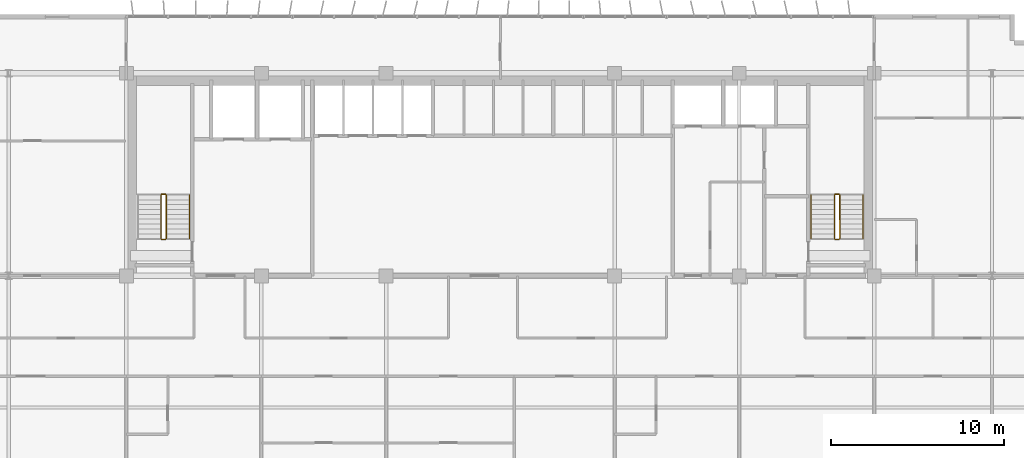
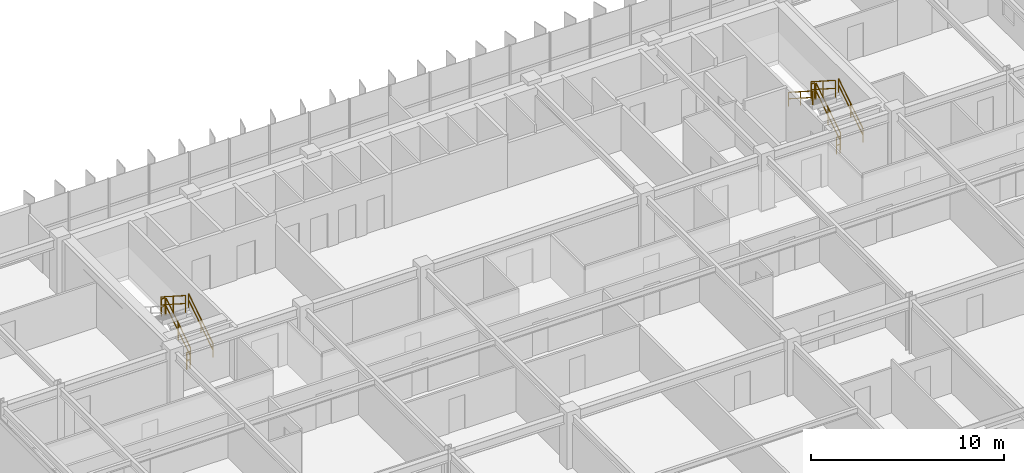
# One storey, part 21 of 22: 11 railings.
"""IFC4 building model written with IfcOpenShell, lengths in metres."""

from ifc_helpers import new_model, si_unit, direction, frame, origin, origin_2d, place, context, subcontext, project, spatial, rectangle, extrude, material, type_object, element, save


model = new_model("IFC4")

# Units and contexts
model_context = context("Model", 3, precision=1e-05, world=origin(), true_north=direction((0.0, 1.0)))
body_context = subcontext(model_context, "Body", "Model", "MODEL_VIEW")
ifc_project = project(units=[si_unit("LENGTHUNIT", "METRE"), si_unit("AREAUNIT", "SQUARE_METRE"), si_unit("VOLUMEUNIT", "CUBIC_METRE"), si_unit("PLANEANGLEUNIT", "RADIAN"), si_unit("MASSUNIT", "GRAM", prefix="KILO")], contexts=[model_context])

# Site, building, storey
site_placement = place(None, origin())
site = spatial("IfcSite", under=ifc_project, at=site_placement, CompositionType="ELEMENT")
building_placement = place(site_placement, origin())
building = spatial("IfcBuilding", under=site, at=building_placement, Name="Trelvane Seafront Commons", CompositionType="ELEMENT")
storey_placement = place(building_placement, frame((0.0, 0.0, 121.300048828125)))
storey = spatial("IfcBuildingStorey", under=building, at=storey_placement, Name="L31", CompositionType="ELEMENT", Elevation=121.300048828125)

# Railings
ifc_material = material(Name="Stainless steel balustrade", Category="steel")
railing_type_1 = type_object("IfcRailingType", Name="ARCH-SRL-GUARD", PredefinedType="GUARDRAIL", material=ifc_material)
railing_1_placement = place(storey_placement, frame((17.89990234375, 35.550048828125, 0.179931640625)))
element("IfcRailing", 1, at=railing_1_placement, inside=storey, type_object=railing_type_1, Name="L31 ST-1 stair guard 1", PredefinedType="GUARDRAIL", context=body_context, shape_type="SweptSolid", body=[
    extrude(rectangle(XDim=0.048095703125, YDim=0.048095703125, at=origin_2d()), frame((0.0, 0.0, 1.076171875), z_axis=(0.0, 0.841162588446, 0.540782303519), x_axis=(-1.0, 0.0, 0.0)), (0.0, 0.0, 1.0), 2.995849609375),
    extrude(rectangle(XDim=0.048095703125, YDim=0.048095703125, at=origin_2d()), frame((0.0, 0.0, 0.572021484375), z_axis=(0.0, 0.841162588446, 0.540782303519), x_axis=(-1.0, 0.0, 0.0)), (0.0, 0.0, 1.0), 2.995849609375),
    extrude(rectangle(XDim=0.0419921875, YDim=0.0419921875, at=origin_2d()), origin(), (0.0, 0.0, 1.0), 1.076171875),
    extrude(rectangle(XDim=0.0419921875, YDim=0.0419921875, at=origin_2d()), frame((0.0, 1.260009765625, 0.81005859375)), (0.0, 0.0, 1.0), 1.076171875),
    extrude(rectangle(XDim=0.0419921875, YDim=0.0419921875, at=origin_2d()), frame((0.0, 2.52001953125, 1.6201171875)), (0.0, 0.0, 1.0), 1.076171875),
])
railing_2_placement = place(storey_placement, frame((17.85009765625, 38.1201171875, 1.800048828125)))
element("IfcRailing", 2, at=railing_2_placement, inside=storey, type_object=railing_type_1, Name="L31 ST-1 stair guard 2", PredefinedType="GUARDRAIL", context=body_context, shape_type="SweptSolid", body=[
    extrude(rectangle(XDim=0.048095703125, YDim=0.048095703125, at=origin_2d()), frame((0.0, 0.0, 1.076171875), z_axis=(-1.0, 0.0, 0.0), x_axis=(0.0, -1.0, 0.0)), (0.0, 0.0, 1.0), 0.2001953125),
    extrude(rectangle(XDim=0.048095703125, YDim=0.048095703125, at=origin_2d()), frame((0.0, 0.0, 0.572021484375), z_axis=(-1.0, 0.0, 0.0), x_axis=(0.0, -1.0, 0.0)), (0.0, 0.0, 1.0), 0.2001953125),
    extrude(rectangle(XDim=0.0419921875, YDim=0.0419921875, at=origin_2d()), origin(), (0.0, 0.0, 1.0), 1.076171875),
    extrude(rectangle(XDim=0.0419921875, YDim=0.0419921875, at=origin_2d()), frame((-0.2001953125, 0.0, 0.0)), (0.0, 0.0, 1.0), 1.076171875),
])
railing_3_placement = place(storey_placement, frame((17.60009765625, 38.070068359375, 1.97998046875)))
element("IfcRailing", 3, at=railing_3_placement, inside=storey, type_object=railing_type_1, Name="L31 ST-1 stair guard 3", PredefinedType="GUARDRAIL", context=body_context, shape_type="SweptSolid", body=[
    extrude(rectangle(XDim=0.048095703125, YDim=0.048095703125, at=origin_2d()), frame((0.0, 0.0, 1.076171875), z_axis=(0.0, -0.841199657755, 0.540724639528), x_axis=(1.0, 0.0, 0.0)), (0.0, 0.0, 1.0), 2.995849609375),
    extrude(rectangle(XDim=0.048095703125, YDim=0.048095703125, at=origin_2d()), frame((0.0, 0.0, 0.572021484375), z_axis=(0.0, -0.841199657755, 0.540724639528), x_axis=(1.0, 0.0, 0.0)), (0.0, 0.0, 1.0), 2.995849609375),
    extrude(rectangle(XDim=0.0419921875, YDim=0.0419921875, at=origin_2d()), origin(), (0.0, 0.0, 1.0), 1.076171875),
    extrude(rectangle(XDim=0.0419921875, YDim=0.0419921875, at=origin_2d()), frame((0.0, -1.260009765625, 0.81005859375)), (0.0, 0.0, 1.0), 1.076171875),
    extrude(rectangle(XDim=0.0419921875, YDim=0.0419921875, at=origin_2d()), frame((0.0, -2.52001953125, 1.619873046875)), (0.0, 0.0, 1.0), 1.076171875),
])
railing_4_placement = place(storey_placement, frame((17.85009765625, 35.5, 0.0)))
element("IfcRailing", 4, at=railing_4_placement, inside=storey, type_object=railing_type_1, Name="L31 ST-1 stair guard 4", PredefinedType="GUARDRAIL", context=body_context, shape_type="SweptSolid", body=[
    extrude(rectangle(XDim=0.048095703125, YDim=0.048095703125, at=origin_2d()), frame((0.0, 0.0, 1.076171875), z_axis=(-1.0, 0.0, 0.0), x_axis=(0.0, -1.0, 0.0)), (0.0, 0.0, 1.0), 0.2001953125),
    extrude(rectangle(XDim=0.048095703125, YDim=0.048095703125, at=origin_2d()), frame((0.0, 0.0, 0.572021484375), z_axis=(-1.0, 0.0, 0.0), x_axis=(0.0, -1.0, 0.0)), (0.0, 0.0, 1.0), 0.2001953125),
    extrude(rectangle(XDim=0.0419921875, YDim=0.0419921875, at=origin_2d()), origin(), (0.0, 0.0, 1.0), 1.076171875),
    extrude(rectangle(XDim=0.0419921875, YDim=0.0419921875, at=origin_2d()), frame((-0.2001953125, 0.0, 0.0)), (0.0, 0.0, 1.0), 1.076171875),
])
railing_5_placement = place(storey_placement, frame((56.800048828125, 35.550048828125, 0.179931640625)))
element("IfcRailing", 5, at=railing_5_placement, inside=storey, type_object=railing_type_1, Name="L31 ST-2 stair guard 1", PredefinedType="GUARDRAIL", context=body_context, shape_type="SweptSolid", body=[
    extrude(rectangle(XDim=0.048095703125, YDim=0.048095703125, at=origin_2d()), frame((0.0, 0.0, 1.076171875), z_axis=(0.0, 0.841162588446, 0.540782303519), x_axis=(-1.0, 0.0, 0.0)), (0.0, 0.0, 1.0), 2.995849609375),
    extrude(rectangle(XDim=0.048095703125, YDim=0.048095703125, at=origin_2d()), frame((0.0, 0.0, 0.572021484375), z_axis=(0.0, 0.841162588446, 0.540782303519), x_axis=(-1.0, 0.0, 0.0)), (0.0, 0.0, 1.0), 2.995849609375),
    extrude(rectangle(XDim=0.0419921875, YDim=0.0419921875, at=origin_2d()), origin(), (0.0, 0.0, 1.0), 1.076171875),
    extrude(rectangle(XDim=0.0419921875, YDim=0.0419921875, at=origin_2d()), frame((0.0, 1.260009765625, 0.81005859375)), (0.0, 0.0, 1.0), 1.076171875),
    extrude(rectangle(XDim=0.0419921875, YDim=0.0419921875, at=origin_2d()), frame((0.0, 2.52001953125, 1.6201171875)), (0.0, 0.0, 1.0), 1.076171875),
])
railing_6_placement = place(storey_placement, frame((56.75, 38.1201171875, 1.800048828125)))
element("IfcRailing", 6, at=railing_6_placement, inside=storey, type_object=railing_type_1, Name="L31 ST-2 stair guard 2", PredefinedType="GUARDRAIL", context=body_context, shape_type="SweptSolid", body=[
    extrude(rectangle(XDim=0.048095703125, YDim=0.048095703125, at=origin_2d()), frame((0.0, 0.0, 1.076171875), z_axis=(-1.0, 0.0, 0.0), x_axis=(0.0, -1.0, 0.0)), (0.0, 0.0, 1.0), 0.199951171875),
    extrude(rectangle(XDim=0.048095703125, YDim=0.048095703125, at=origin_2d()), frame((0.0, 0.0, 0.572021484375), z_axis=(-1.0, 0.0, 0.0), x_axis=(0.0, -1.0, 0.0)), (0.0, 0.0, 1.0), 0.199951171875),
    extrude(rectangle(XDim=0.0419921875, YDim=0.0419921875, at=origin_2d()), origin(), (0.0, 0.0, 1.0), 1.076171875),
    extrude(rectangle(XDim=0.0419921875, YDim=0.0419921875, at=origin_2d()), frame((-0.199951171875, 0.0, 0.0)), (0.0, 0.0, 1.0), 1.076171875),
])
railing_7_placement = place(storey_placement, frame((56.5, 38.070068359375, 1.97998046875)))
element("IfcRailing", 7, at=railing_7_placement, inside=storey, type_object=railing_type_1, Name="L31 ST-2 stair guard 3", PredefinedType="GUARDRAIL", context=body_context, shape_type="SweptSolid", body=[
    extrude(rectangle(XDim=0.048095703125, YDim=0.048095703125, at=origin_2d()), frame((0.0, 0.0, 1.076171875), z_axis=(0.0, -0.841199657755, 0.540724639528), x_axis=(1.0, 0.0, 0.0)), (0.0, 0.0, 1.0), 2.995849609375),
    extrude(rectangle(XDim=0.048095703125, YDim=0.048095703125, at=origin_2d()), frame((0.0, 0.0, 0.572021484375), z_axis=(0.0, -0.841199657755, 0.540724639528), x_axis=(1.0, 0.0, 0.0)), (0.0, 0.0, 1.0), 2.995849609375),
    extrude(rectangle(XDim=0.0419921875, YDim=0.0419921875, at=origin_2d()), origin(), (0.0, 0.0, 1.0), 1.076171875),
    extrude(rectangle(XDim=0.0419921875, YDim=0.0419921875, at=origin_2d()), frame((0.0, -1.260009765625, 0.81005859375)), (0.0, 0.0, 1.0), 1.076171875),
    extrude(rectangle(XDim=0.0419921875, YDim=0.0419921875, at=origin_2d()), frame((0.0, -2.52001953125, 1.619873046875)), (0.0, 0.0, 1.0), 1.076171875),
])
railing_8_placement = place(storey_placement, frame((56.75, 35.5, 0.0)))
element("IfcRailing", 8, at=railing_8_placement, inside=storey, type_object=railing_type_1, Name="L31 ST-2 stair guard 4", PredefinedType="GUARDRAIL", context=body_context, shape_type="SweptSolid", body=[
    extrude(rectangle(XDim=0.048095703125, YDim=0.048095703125, at=origin_2d()), frame((0.0, 0.0, 1.076171875), z_axis=(-1.0, 0.0, 0.0), x_axis=(0.0, -1.0, 0.0)), (0.0, 0.0, 1.0), 0.199951171875),
    extrude(rectangle(XDim=0.048095703125, YDim=0.048095703125, at=origin_2d()), frame((0.0, 0.0, 0.572021484375), z_axis=(-1.0, 0.0, 0.0), x_axis=(0.0, -1.0, 0.0)), (0.0, 0.0, 1.0), 0.199951171875),
    extrude(rectangle(XDim=0.0419921875, YDim=0.0419921875, at=origin_2d()), origin(), (0.0, 0.0, 1.0), 1.076171875),
    extrude(rectangle(XDim=0.0419921875, YDim=0.0419921875, at=origin_2d()), frame((-0.199951171875, 0.0, 0.0)), (0.0, 0.0, 1.0), 1.076171875),
])
railing_type_2 = type_object("IfcRailingType", Name="ARCH-SRL-HAND", PredefinedType="HANDRAIL", material=ifc_material)
for number, where, name in (
    (9, (19.25, 35.550048828125, 0.179931640625), "L31 ST-1 stair handrail 1"),
    (10, (58.14990234375, 35.550048828125, 0.179931640625), "L31 ST-2 stair handrail 1"),
):
    element("IfcRailing", number, at=place(storey_placement, frame(where)), inside=storey, type_object=railing_type_2, Name=name, PredefinedType="HANDRAIL", context=body_context, shape_type="SweptSolid", body=[
        extrude(rectangle(XDim=0.048095703125, YDim=0.048095703125, at=origin_2d()), frame((0.0, 0.0, 0.8759765625), z_axis=(0.0, 0.841162588446, 0.540782303519), x_axis=(-1.0, 0.0, 0.0)), (0.0, 0.0, 1.0), 2.995849609375),
        extrude(rectangle(XDim=0.048095703125, YDim=0.048095703125, at=origin_2d()), frame((0.0, 0.0, 0.468017578125), z_axis=(0.0, 0.841162588446, 0.540782303519), x_axis=(-1.0, 0.0, 0.0)), (0.0, 0.0, 1.0), 2.995849609375),
        extrude(rectangle(XDim=0.0419921875, YDim=0.0419921875, at=origin_2d()), origin(), (0.0, 0.0, 1.0), 0.8759765625),
        extrude(rectangle(XDim=0.0419921875, YDim=0.0419921875, at=origin_2d()), frame((0.0, 1.260009765625, 0.81005859375)), (0.0, 0.0, 1.0), 0.8759765625),
        extrude(rectangle(XDim=0.0419921875, YDim=0.0419921875, at=origin_2d()), frame((0.0, 2.52001953125, 1.6201171875)), (0.0, 0.0, 1.0), 0.8759765625),
    ])
railing_9_placement = place(storey_placement, frame((55.14990234375, 38.070068359375, 1.97998046875)))
element("IfcRailing", 11, at=railing_9_placement, inside=storey, type_object=railing_type_2, Name="L31 ST-2 stair handrail 2", PredefinedType="HANDRAIL", context=body_context, shape_type="SweptSolid", body=[
    extrude(rectangle(XDim=0.048095703125, YDim=0.048095703125, at=origin_2d()), frame((0.0, 0.0, 0.8759765625), z_axis=(0.0, -0.841199657755, 0.540724639528), x_axis=(1.0, 0.0, 0.0)), (0.0, 0.0, 1.0), 2.995849609375),
    extrude(rectangle(XDim=0.048095703125, YDim=0.048095703125, at=origin_2d()), frame((0.0, 0.0, 0.468017578125), z_axis=(0.0, -0.841199657755, 0.540724639528), x_axis=(1.0, 0.0, 0.0)), (0.0, 0.0, 1.0), 2.995849609375),
    extrude(rectangle(XDim=0.0419921875, YDim=0.0419921875, at=origin_2d()), origin(), (0.0, 0.0, 1.0), 0.8759765625),
    extrude(rectangle(XDim=0.0419921875, YDim=0.0419921875, at=origin_2d()), frame((0.0, -1.260009765625, 0.81005859375)), (0.0, 0.0, 1.0), 0.8759765625),
    extrude(rectangle(XDim=0.0419921875, YDim=0.0419921875, at=origin_2d()), frame((0.0, -2.52001953125, 1.619873046875)), (0.0, 0.0, 1.0), 0.8759765625),
])

save(model, "model.ifc")
